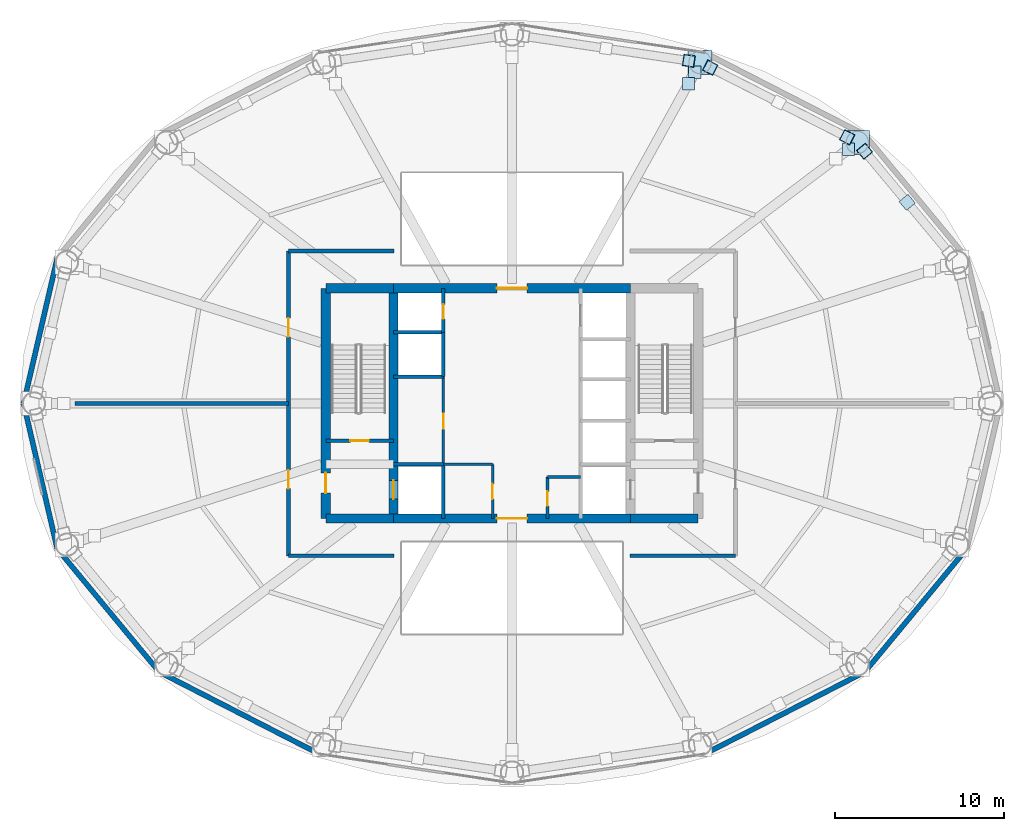
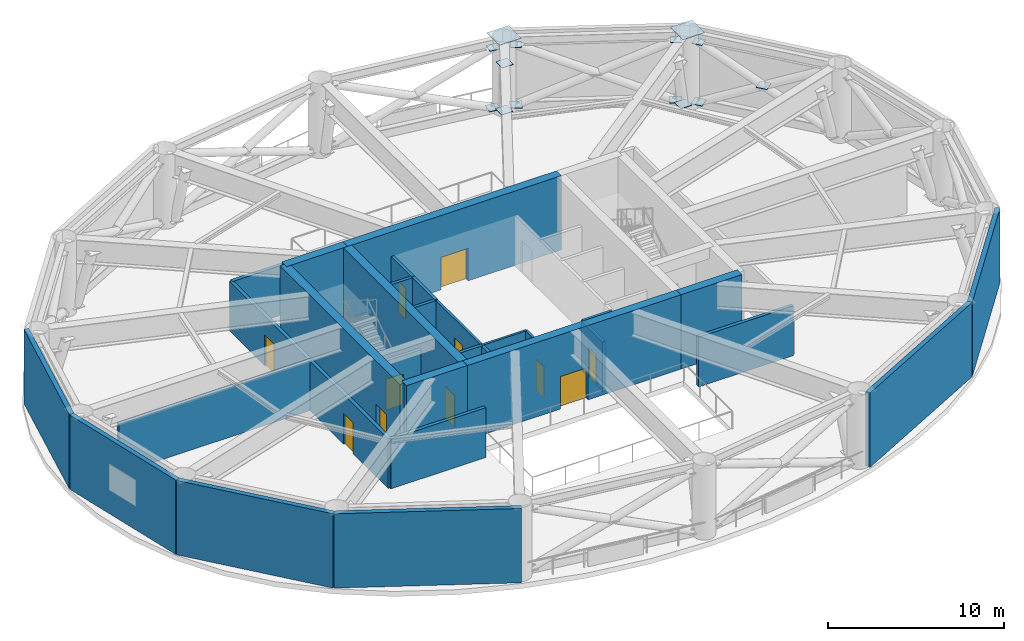
# One storey, part 5 of 8: 30 walls, 14 plates, 11 doors, 11 openings.
"""IFC4 building model written with IfcOpenShell, lengths in metres."""

from ifc_helpers import new_model, si_unit, direction, frame, frame_2d, origin, origin_2d, place, context, subcontext, project, spatial, rectangle, extrude, material, layer, layer_set, type_object, element, fill, save


model = new_model("IFC4")

# Units and contexts
model_context = context("Model", 3, precision=1e-05, world=origin(), true_north=direction((0.0, 1.0)))
body_context = subcontext(model_context, "Body", "Model", "MODEL_VIEW")
ifc_project = project(units=[si_unit("LENGTHUNIT", "METRE"), si_unit("AREAUNIT", "SQUARE_METRE"), si_unit("VOLUMEUNIT", "CUBIC_METRE"), si_unit("PLANEANGLEUNIT", "RADIAN"), si_unit("MASSUNIT", "GRAM", prefix="KILO")], contexts=[model_context])

# Site, building, storey
site_placement = place(None, origin())
site = spatial("IfcSite", under=ifc_project, at=site_placement, CompositionType="ELEMENT")
building_placement = place(site_placement, origin())
building = spatial("IfcBuilding", under=site, at=building_placement, Name="Sarneth Arch Tower", CompositionType="ELEMENT")
storey_placement = place(building_placement, frame((0.0, 0.0, 145.199951171875)))
storey = spatial("IfcBuildingStorey", under=building, at=storey_placement, Name="L36", CompositionType="ELEMENT", Elevation=145.199951171875)

# Plates
ifc_material_1 = material(Name="Steel S355", Category="steel")
ifc_layer_1 = layer(ifc_material_1, 0.035888671875)
ifc_layer_set_1 = layer_set([ifc_layer_1], Name="Steel S355")
plate_type_1 = type_object("IfcPlateType", Name="PLT-GUSSET-30", PredefinedType="SHEET", material=ifc_layer_set_1)
plate_1_placement = place(storey_placement, frame((71.344482421875, 53.878662109375, 2.41650390625), z_axis=(0.0, 0.0, 1.0), x_axis=(-0.640109699485, 0.768283523594, 0.0)))
element("IfcPlate", 1, at=plate_1_placement, inside=storey, type_object=plate_type_1, Name="Steel end cap plate GP-1", PredefinedType="SHEET", context=body_context, shape_type="SweptSolid", body=[
    extrude(rectangle(XDim=0.679931640625, YDim=0.679931640625, at=origin_2d()), origin(), (0.0, 0.0, 1.0), 0.035888671875),
])
plate_2_placement = place(storey_placement, frame((68.829833984375, 56.896484375, 0.33203125), z_axis=(0.0, 0.0, 1.0), x_axis=(-0.640109699485, 0.768283523594, 0.0)))
element("IfcPlate", 2, at=plate_2_placement, inside=storey, type_object=plate_type_1, Name="Steel end cap plate GP-1", PredefinedType="SHEET", context=body_context, shape_type="SweptSolid", body=[
    extrude(rectangle(XDim=0.699951171875, YDim=0.699951171875, at=origin_2d()), origin(), (0.0, 0.0, 1.0), 0.035888671875),
])
plate_3_placement = place(storey_placement, frame((68.829833984375, 56.896484375, 4.5009765625), z_axis=(0.0, 0.0, 1.0), x_axis=(-0.640109699485, 0.768283523594, 0.0)))
element("IfcPlate", 3, at=plate_3_placement, inside=storey, type_object=plate_type_1, Name="Steel end cap plate GP-1", PredefinedType="SHEET", context=body_context, shape_type="SweptSolid", body=[
    extrude(rectangle(XDim=0.6298828125, YDim=0.6298828125, at=origin_2d()), origin(), (0.0, 0.0, 1.0), 0.035888671875),
])
for number, where, z_axis, x_axis, name in (
    (4, (67.796142578125, 57.720947265625, 0.33203125), (0.0, 0.0, 1.0), (0.89124411091, -0.453523907604, 0.0), "Steel end cap plate GP-1"),
    (5, (59.7119140625, 61.83447265625, 0.33203125), (0.0, 0.0, 1.0), (-0.89124411091, 0.453523907604, 0.0), "Steel end cap plate GP-1"),
):
    element("IfcPlate", number, at=place(storey_placement, frame(where, z_axis=z_axis, x_axis=x_axis)), inside=storey, type_object=plate_type_1, Name=name, PredefinedType="SHEET", context=body_context, shape_type="SweptSolid", body=[
        extrude(rectangle(XDim=0.699951171875, YDim=0.699951171875, at=origin_2d()), origin(), (0.0, 0.0, 1.0), 0.035888671875),
    ])
for number, where, z_axis, x_axis, name in (
    (6, (67.796142578125, 57.720947265625, 4.5009765625), (0.0, 0.0, 1.0), (0.89124411091, -0.453523907604, 0.0), "Steel end cap plate GP-1"),
    (7, (59.7119140625, 61.83447265625, 4.5009765625), (0.0, 0.0, 1.0), (-0.89124411091, 0.453523907604, 0.0), "Steel end cap plate GP-1"),
):
    element("IfcPlate", number, at=place(storey_placement, frame(where, z_axis=z_axis, x_axis=x_axis)), inside=storey, type_object=plate_type_1, Name=name, PredefinedType="SHEET", context=body_context, shape_type="SweptSolid", body=[
        extrude(rectangle(XDim=0.6298828125, YDim=0.6298828125, at=origin_2d()), origin(), (0.0, 0.0, 1.0), 0.035888671875),
    ])
plate_4_placement = place(storey_placement, frame((67.875, 57.020263671875, 0.43212890625), z_axis=(0.0, 0.0, 1.0), x_axis=(1.0, 0.0, 0.0)))
element("IfcPlate", 8, at=plate_4_placement, inside=storey, type_object=plate_type_1, Name="Steel end cap plate GP-1", PredefinedType="SHEET", context=body_context, shape_type="SweptSolid", body=[
    extrude(rectangle(XDim=0.72998046875, YDim=0.72998046875, at=origin_2d()), origin(), (0.0, 0.0, 1.0), 0.035888671875),
])
plate_5_placement = place(storey_placement, frame((58.442626953125, 62.240234375, 0.33203125), z_axis=(0.0, 0.0, 1.0), x_axis=(0.989041645907, -0.147636793048, 0.0)))
element("IfcPlate", 9, at=plate_5_placement, inside=storey, type_object=plate_type_1, Name="Steel end cap plate GP-1", PredefinedType="SHEET", context=body_context, shape_type="SweptSolid", body=[
    extrude(rectangle(XDim=0.699951171875, YDim=0.699951171875, at=origin_2d()), origin(), (0.0, 0.0, 1.0), 0.035888671875),
])
plate_6_placement = place(storey_placement, frame((58.442626953125, 62.240234375, 4.5009765625), z_axis=(0.0, 0.0, 1.0), x_axis=(0.989041645907, -0.147636793048, 0.0)))
element("IfcPlate", 10, at=plate_6_placement, inside=storey, type_object=plate_type_1, Name="Steel end cap plate GP-1", PredefinedType="SHEET", context=body_context, shape_type="SweptSolid", body=[
    extrude(rectangle(XDim=0.6298828125, YDim=0.6298828125, at=origin_2d()), origin(), (0.0, 0.0, 1.0), 0.035888671875),
])
for number, where, z_axis, x_axis, name in (
    (11, (58.793701171875, 61.567138671875, 0.43212890625), (0.0, 0.0, 1.0), (1.0, 0.0, 0.0), "Steel end cap plate GP-1"),
    (12, (58.421875, 60.893310546875, 4.224609375), (0.0, 0.0, 1.0), (1.0, 0.0, 0.0), "Steel end cap plate GP-1"),
):
    element("IfcPlate", number, at=place(storey_placement, frame(where, z_axis=z_axis, x_axis=x_axis)), inside=storey, type_object=plate_type_1, Name=name, PredefinedType="SHEET", context=body_context, shape_type="SweptSolid", body=[
        extrude(rectangle(XDim=0.72998046875, YDim=0.72998046875, at=origin_2d()), origin(), (0.0, 0.0, 1.0), 0.035888671875),
    ])
ifc_material_2 = material(Name="Steel S355", Category="steel")
ifc_layer_2 = layer(ifc_material_2, 0.0400390625)
ifc_layer_set_2 = layer_set([ifc_layer_2], Name="Steel S355")
plate_type_2 = type_object("IfcPlateType", Name="PLT-SPLICE-40", PredefinedType="SHEET", material=ifc_layer_set_2)
for number, where, z_axis, x_axis, name in (
    (13, (68.397705078125, 57.4150390625, 5.13232421875), (0.0, 0.0, 1.0), (1.0, 0.0, 0.0), "Steel end cap plate GP-2"),
    (14, (59.1103515625, 62.140625, 5.13232421875), (0.0, 0.0, 1.0), (1.0, 0.0, 0.0), "Steel end cap plate GP-2"),
):
    element("IfcPlate", number, at=place(storey_placement, frame(where, z_axis=z_axis, x_axis=x_axis)), inside=storey, type_object=plate_type_2, Name=name, PredefinedType="SHEET", context=body_context, shape_type="SweptSolid", body=[
        extrude(rectangle(XDim=1.429931640625, YDim=1.429931640625, at=origin_2d()), origin(), (0.0, 0.0, 1.0), 0.035888671875),
    ])

# Wall
ifc_material_3 = material(Name="Concrete C60/75", Category="concrete")
ifc_layer_3 = layer(ifc_material_3, 0.550048828125)
ifc_layer_set_3 = layer_set([ifc_layer_3], Name="Concrete C60/75")
wall_type_1 = type_object("IfcWallType", Name="WALL-CORE-550", PredefinedType="SHEAR", material=ifc_layer_set_3)
wall_1_placement = place(storey_placement, frame((37.0, 35.199951171875, 0.0), z_axis=(0.0, 0.0, 1.0), x_axis=(1.0, 0.0, 0.0)))
element("IfcWall", 15, at=wall_1_placement, inside=storey, type_object=wall_type_1, Name="L36 Core shear wall S-W", PredefinedType="SHEAR", context=body_context, shape_type="SweptSolid", body=[
    extrude(rectangle(XDim=4.0, YDim=0.550048828125, at=frame_2d((2.0, 0.0))), origin(), (0.0, 0.0, 1.0), 5.150146484375),
])

# Wall, opening, door
wall_2_placement = place(storey_placement, frame((41.0, 35.199951171875, 0.0), z_axis=(0.0, 0.0, 1.0), x_axis=(1.0, 0.0, 0.0)))
wall_2 = element("IfcWall", 16, at=wall_2_placement, inside=storey, type_object=wall_type_1, Name="L36 Core shear wall S-M", PredefinedType="SHEAR", context=body_context, shape_type="SweptSolid", body=[
    extrude(rectangle(XDim=14.0, YDim=0.550048828125, at=frame_2d((7.0, 0.0))), origin(), (0.0, 0.0, 1.0), 5.150146484375),
])
opening_1_placement = place(wall_2_placement, frame((6.10009765625, 0.0, 0.0)))
opening_1 = element("IfcOpeningElement", 17, at=opening_1_placement, cuts=wall_2, Name="Opening FD-01", PredefinedType="OPENING", context=body_context, shape_type="SweptSolid", body=[
    extrude(rectangle(XDim=1.800048828125, YDim=2.25, at=frame_2d((0.89990234375, 1.125))), frame((0.0, 0.284912109375, 0.0), z_axis=(0.0, -1.0, 0.0), x_axis=(1.0, 0.0, 0.0)), (0.0, 0.0, 1.0), 0.570068359375),
])
ifc_material_4 = material(Name="Galvanised Steel S275 fire door set", Category="steel")
door_type_1 = type_object("IfcDoorType", Name="DR-FD90-1800", OperationType="DOUBLE_DOOR_SINGLE_SWING", PredefinedType="DOOR", material=ifc_material_4)
door_1_placement = place(opening_1_placement, origin())
door_1 = element("IfcDoor", 18, at=door_1_placement, inside=storey, type_object=door_type_1, Name="L36 Central lift lobby south door", OperationType="DOUBLE_DOOR_SINGLE_SWING", OverallHeight=2.25, OverallWidth=1.800048828125, PredefinedType="DOOR", context=body_context, shape_type="SweptSolid", body=[
    extrude(rectangle(XDim=1.800048828125, YDim=2.25, at=frame_2d((0.89990234375, 1.125))), frame((0.0, 0.02490234375, 0.0), z_axis=(0.0, -1.0, 0.0), x_axis=(1.0, 0.0, 0.0)), (0.0, 0.0, 1.0), 0.050048828125),
])
fill(opening_1, door_1)

# Walls
for number, where, z_axis, x_axis, name in (
    (19, (55.0, 35.199951171875, 0.0), (0.0, 0.0, 1.0), (1.0, 0.0, 0.0), "L36 Core shear wall S-E"),
    (20, (37.0, 48.800048828125, 0.0), (0.0, 0.0, 1.0), (1.0, 0.0, 0.0), "L36 Core shear wall N-W"),
):
    element("IfcWall", number, at=place(storey_placement, frame(where, z_axis=z_axis, x_axis=x_axis)), inside=storey, type_object=wall_type_1, Name=name, PredefinedType="SHEAR", context=body_context, shape_type="SweptSolid", body=[
        extrude(rectangle(XDim=4.0, YDim=0.550048828125, at=frame_2d((2.0, 0.0))), origin(), (0.0, 0.0, 1.0), 5.150146484375),
    ])

# Wall, opening, door
wall_3_placement = place(storey_placement, frame((41.0, 48.800048828125, 0.0), z_axis=(0.0, 0.0, 1.0), x_axis=(1.0, 0.0, 0.0)))
wall_3 = element("IfcWall", 21, at=wall_3_placement, inside=storey, type_object=wall_type_1, Name="L36 Core shear wall N-M", PredefinedType="SHEAR", context=body_context, shape_type="SweptSolid", body=[
    extrude(rectangle(XDim=14.0, YDim=0.550048828125, at=frame_2d((7.0, 0.0))), origin(), (0.0, 0.0, 1.0), 5.150146484375),
])
opening_2_placement = place(wall_3_placement, frame((6.10009765625, 0.0, 0.0)))
opening_2 = element("IfcOpeningElement", 22, at=opening_2_placement, cuts=wall_3, Name="Opening FD-01", PredefinedType="OPENING", context=body_context, shape_type="SweptSolid", body=[
    extrude(rectangle(XDim=1.800048828125, YDim=2.25, at=frame_2d((0.89990234375, 1.125))), frame((0.0, 0.284912109375, 0.0), z_axis=(0.0, -1.0, 0.0), x_axis=(1.0, 0.0, 0.0)), (0.0, 0.0, 1.0), 0.570068359375),
])
door_2_placement = place(opening_2_placement, origin())
door_2 = element("IfcDoor", 23, at=door_2_placement, inside=storey, type_object=door_type_1, Name="L36 Central lift lobby north door", OperationType="DOUBLE_DOOR_SINGLE_SWING", OverallHeight=2.25, OverallWidth=1.800048828125, PredefinedType="DOOR", context=body_context, shape_type="SweptSolid", body=[
    extrude(rectangle(XDim=1.800048828125, YDim=2.25, at=frame_2d((0.89990234375, 1.125))), frame((0.0, 0.02490234375, 0.0), z_axis=(0.0, -1.0, 0.0), x_axis=(1.0, 0.0, 0.0)), (0.0, 0.0, 1.0), 0.050048828125),
])
fill(opening_2, door_2)

wall_4_placement = place(storey_placement, frame((37.0, 35.199951171875, 0.0), z_axis=(0.0, 0.0, 1.0), x_axis=(0.0, 1.0, 0.0)))
wall_4 = element("IfcWall", 24, at=wall_4_placement, inside=storey, type_object=wall_type_1, Name="L36 Core shear wall W", PredefinedType="SHEAR", context=body_context, shape_type="SweptSolid", body=[
    extrude(rectangle(XDim=13.60009765625, YDim=0.550048828125, at=frame_2d((6.800048828125, 0.0))), origin(), (0.0, 0.0, 1.0), 5.150146484375),
])
opening_3_placement = place(wall_4_placement, frame((1.5, 0.0, 0.0)))
opening_3 = element("IfcOpeningElement", 25, at=opening_3_placement, cuts=wall_4, Name="Opening FD-02", PredefinedType="OPENING", context=body_context, shape_type="SweptSolid", body=[
    extrude(rectangle(XDim=1.199951171875, YDim=2.14990234375, at=frame_2d((0.60009765625, 1.074951171875))), frame((0.0, 0.284912109375, 0.0), z_axis=(0.0, -1.0, 0.0), x_axis=(1.0, 0.0, 0.0)), (0.0, 0.0, 1.0), 0.570068359375),
])
ifc_material_5 = material(Name="Galvanised Steel S275 fire door set", Category="steel")
door_type_2 = type_object("IfcDoorType", Name="DR-FD90-1200", OperationType="SINGLE_SWING_LEFT", PredefinedType="DOOR", material=ifc_material_5)
door_3_placement = place(opening_3_placement, origin())
door_3 = element("IfcDoor", 26, at=door_3_placement, inside=storey, type_object=door_type_2, Name="L36 Firefighting lobby 1 exit door", OperationType="SINGLE_SWING_LEFT", OverallHeight=2.14990234375, OverallWidth=1.199951171875, PredefinedType="DOOR", context=body_context, shape_type="SweptSolid", body=[
    extrude(rectangle(XDim=1.199951171875, YDim=2.14990234375, at=frame_2d((0.60009765625, 1.074951171875))), frame((0.0, 0.02490234375, 0.0), z_axis=(0.0, -1.0, 0.0), x_axis=(1.0, 0.0, 0.0)), (0.0, 0.0, 1.0), 0.050048828125),
])
fill(opening_3, door_3)

wall_5_placement = place(storey_placement, frame((41.0, 35.199951171875, 0.0), z_axis=(0.0, 0.0, 1.0), x_axis=(0.0, 1.0, 0.0)))
wall_5 = element("IfcWall", 27, at=wall_5_placement, inside=storey, type_object=wall_type_1, Name="L36 Core shear wall WEB-W", PredefinedType="SHEAR", context=body_context, shape_type="SweptSolid", body=[
    extrude(rectangle(XDim=13.60009765625, YDim=0.550048828125, at=frame_2d((6.800048828125, 0.0))), origin(), (0.0, 0.0, 1.0), 5.150146484375),
])
opening_4_placement = place(wall_5_placement, frame((1.14990234375, 0.0, 0.0)))
opening_4 = element("IfcOpeningElement", 28, at=opening_4_placement, cuts=wall_5, Name="Opening LD-1", PredefinedType="OPENING", context=body_context, shape_type="SweptSolid", body=[
    extrude(rectangle(XDim=1.10009765625, YDim=2.199951171875, at=frame_2d((0.550048828125, 1.10009765625))), frame((0.0, 0.284912109375, 0.0), z_axis=(0.0, -1.0, 0.0), x_axis=(1.0, 0.0, 0.0)), (0.0, 0.0, 1.0), 0.570068359375),
])
ifc_material_6 = material(Name="Brushed Stainless Steel 304 lift landing door", Category="steel")
door_type_3 = type_object("IfcDoorType", Name="DR-LIFT-SLIDE-1100", OperationType="SLIDING_TO_LEFT", PredefinedType="DOOR", material=ifc_material_6)
door_4_placement = place(opening_4_placement, origin())
door_4 = element("IfcDoor", 29, at=door_4_placement, inside=storey, type_object=door_type_3, Name="L36 Firefighting lift landing door FL-1", OperationType="SLIDING_TO_LEFT", OverallHeight=2.199951171875, OverallWidth=1.10009765625, PredefinedType="DOOR", context=body_context, shape_type="SweptSolid", body=[
    extrude(rectangle(XDim=1.10009765625, YDim=2.199951171875, at=frame_2d((0.550048828125, 1.10009765625))), frame((0.0, 0.02490234375, 0.0), z_axis=(0.0, -1.0, 0.0), x_axis=(1.0, 0.0, 0.0)), (0.0, 0.0, 1.0), 0.050048828125),
])
fill(opening_4, door_4)

# Walls
ifc_material_7 = material(Name="Extruded terracotta rainscreen on Concrete C40/50 backing", Category="masonry")
ifc_layer_4 = layer(ifc_material_7, 0.300048828125)
ifc_layer_set_4 = layer_set([ifc_layer_4], Name="Extruded terracotta rainscreen on Concrete C40/50 backing")
wall_type_2 = type_object("IfcWallType", Name="WALL-EXT-ACOUST-300", PredefinedType="SOLIDWALL", material=ifc_layer_set_4)
for number, where, z_axis, x_axis, name in (
    (30, (21.138671875, 50.58349609375, 0.0), (0.0, 0.0, 1.0), (-0.22558597182, -0.974223264616, 0.0), "L36 Terracotta perimeter wall 08"),
    (31, (19.151123046875, 42.0, 0.0), (0.0, 0.0, 1.0), (0.22558597182, -0.974223264616, 0.0), "L36 Terracotta perimeter wall 09"),
):
    element("IfcWall", number, at=place(storey_placement, frame(where, z_axis=z_axis, x_axis=x_axis)), inside=storey, type_object=wall_type_2, Name=name, PredefinedType="SOLIDWALL", context=body_context, shape_type="SweptSolid", body=[
        extrude(rectangle(XDim=8.810546875, YDim=0.300048828125, at=frame_2d((4.4052734375, 0.0))), origin(), (0.0, 0.0, 1.0), 5.150146484375),
    ])
wall_6_placement = place(storey_placement, frame((21.138671875, 33.41650390625, 0.0), z_axis=(0.0, 0.0, 1.0), x_axis=(0.637505817448, -0.770445541696, 0.0)))
element("IfcWall", 32, at=wall_6_placement, inside=storey, type_object=wall_type_2, Name="L36 Terracotta perimeter wall 10", PredefinedType="SOLIDWALL", context=body_context, shape_type="SweptSolid", body=[
    extrude(rectangle(XDim=9.445068359375, YDim=0.300048828125, at=frame_2d((4.72265625, 0.0))), origin(), (0.0, 0.0, 1.0), 5.150146484375),
])
for number, where, z_axis, x_axis, name in (
    (33, (27.159912109375, 26.1396484375, 0.0), (0.0, 0.0, 1.0), (0.889959505023, -0.45603955905, 0.0), "L36 Terracotta perimeter wall 11"),
    (34, (59.351318359375, 21.27734375, 0.0), (0.0, 0.0, 1.0), (0.889959505023, 0.45603955905, 0.0), "L36 Terracotta perimeter wall 14"),
):
    element("IfcWall", number, at=place(storey_placement, frame(where, z_axis=z_axis, x_axis=x_axis)), inside=storey, type_object=wall_type_2, Name=name, PredefinedType="SOLIDWALL", context=body_context, shape_type="SweptSolid", body=[
        extrude(rectangle(XDim=10.662109375, YDim=0.300048828125, at=frame_2d((5.3310546875, 0.0))), origin(), (0.0, 0.0, 1.0), 5.150146484375),
    ])
wall_7_placement = place(storey_placement, frame((68.840087890625, 26.1396484375, 0.0), z_axis=(0.0, 0.0, 1.0), x_axis=(0.637505817448, 0.770445541696, 0.0)))
element("IfcWall", 35, at=wall_7_placement, inside=storey, type_object=wall_type_2, Name="L36 Terracotta perimeter wall 15", PredefinedType="SOLIDWALL", context=body_context, shape_type="SweptSolid", body=[
    extrude(rectangle(XDim=9.445068359375, YDim=0.300048828125, at=frame_2d((4.72265625, 0.0))), origin(), (0.0, 0.0, 1.0), 5.150146484375),
])
ifc_material_8 = material(Name="Aerated concrete blockwork C25/30", Category="masonry")
ifc_layer_5 = layer(ifc_material_8, 0.219970703125)
ifc_layer_set_5 = layer_set([ifc_layer_5], Name="Aerated concrete blockwork C25/30")
wall_type_3 = type_object("IfcWallType", Name="WALL-FIRE-220", PredefinedType="SOLIDWALL", material=ifc_layer_set_5)
wall_8_placement = place(storey_placement, frame((22.193359375, 42.0, 0.0), z_axis=(0.0, 0.0, 1.0), x_axis=(1.0, 0.0, 0.0)))
element("IfcWall", 36, at=wall_8_placement, inside=storey, type_object=wall_type_3, Name="L36 Interior partition W-L36-TP-009", PredefinedType="SOLIDWALL", context=body_context, shape_type="SweptSolid", body=[
    extrude(rectangle(XDim=12.606689453125, YDim=0.219970703125, at=frame_2d((6.30322265625, 0.0))), origin(), (0.0, 0.0, 1.0), 3.449951171875),
])

# Wall, openings, doors
wall_9_placement = place(storey_placement, frame((34.800048828125, 33.0, 0.0), z_axis=(0.0, 0.0, 1.0), x_axis=(0.0, 1.0, 0.0)))
wall_9 = element("IfcWall", 37, at=wall_9_placement, inside=storey, type_object=wall_type_3, Name="L36 Interior partition W-L36-TP-002", PredefinedType="SOLIDWALL", context=body_context, shape_type="SweptSolid", body=[
    extrude(rectangle(XDim=18.0, YDim=0.219970703125, at=frame_2d((9.0, 0.0))), origin(), (0.0, 0.0, 1.0), 3.449951171875),
])
opening_5_placement = place(wall_9_placement, frame((3.966064453125, 0.0, 0.0)))
opening_5 = element("IfcOpeningElement", 38, at=opening_5_placement, cuts=wall_9, Name="Opening FD-03", PredefinedType="OPENING", context=body_context, shape_type="SweptSolid", body=[
    extrude(rectangle(XDim=1.10009765625, YDim=2.14990234375, at=frame_2d((0.550048828125, 1.074951171875))), frame((0.0, 0.119873046875, 0.0), z_axis=(0.0, -1.0, 0.0), x_axis=(1.0, 0.0, 0.0)), (0.0, 0.0, 1.0), 0.239990234375),
])
opening_6_placement = place(wall_9_placement, frame((12.93408203125, 0.0, 0.0)))
opening_6 = element("IfcOpeningElement", 39, at=opening_6_placement, cuts=wall_9, Name="Opening FD-03", PredefinedType="OPENING", context=body_context, shape_type="SweptSolid", body=[
    extrude(rectangle(XDim=1.10009765625, YDim=2.14990234375, at=frame_2d((0.550048828125, 1.074951171875))), frame((0.0, 0.119873046875, 0.0), z_axis=(0.0, -1.0, 0.0), x_axis=(1.0, 0.0, 0.0)), (0.0, 0.0, 1.0), 0.239990234375),
])
ifc_material_9 = material(Name="Galvanised Steel S275 fire door set", Category="steel")
door_type_4 = type_object("IfcDoorType", Name="DR-FD90-1100", OperationType="SINGLE_SWING_LEFT", PredefinedType="DOOR", material=ifc_material_9)
door_5_placement = place(opening_5_placement, origin())
door_5 = element("IfcDoor", 40, at=door_5_placement, inside=storey, type_object=door_type_4, Name="L36 Interior door DR-L36-PSEC-1", OperationType="SINGLE_SWING_LEFT", OverallHeight=2.14990234375, OverallWidth=1.10009765625, PredefinedType="DOOR", context=body_context, shape_type="SweptSolid", body=[
    extrude(rectangle(XDim=1.10009765625, YDim=2.14990234375, at=frame_2d((0.550048828125, 1.074951171875))), frame((0.0, 0.02490234375, 0.0), z_axis=(0.0, -1.0, 0.0), x_axis=(1.0, 0.0, 0.0)), (0.0, 0.0, 1.0), 0.050048828125),
])
fill(opening_5, door_5)
door_6_placement = place(opening_6_placement, origin())
door_6 = element("IfcDoor", 41, at=door_6_placement, inside=storey, type_object=door_type_4, Name="L36 Interior door DR-L36-PSEC-2", OperationType="SINGLE_SWING_LEFT", OverallHeight=2.14990234375, OverallWidth=1.10009765625, PredefinedType="DOOR", context=body_context, shape_type="SweptSolid", body=[
    extrude(rectangle(XDim=1.10009765625, YDim=2.14990234375, at=frame_2d((0.550048828125, 1.074951171875))), frame((0.0, 0.02490234375, 0.0), z_axis=(0.0, -1.0, 0.0), x_axis=(1.0, 0.0, 0.0)), (0.0, 0.0, 1.0), 0.050048828125),
])
fill(opening_6, door_6)

# Walls
for number, where, z_axis, x_axis, name in (
    (42, (41.031982421875, 33.0, 0.0), (0.0, 0.0, 1.0), (-1.0, 0.0, 0.0), "L36 Interior partition W-L36-TP-001"),
    (43, (34.800048828125, 51.0, 0.0), (0.0, 0.0, 1.0), (1.0, 0.0, 0.0), "L36 Interior partition W-L36-TP-004"),
    (44, (61.199951171875, 33.0, 0.0), (0.0, 0.0, 1.0), (-1.0, 0.0, 0.0), "L36 Interior partition W-L36-TP-006"),
):
    element("IfcWall", number, at=place(storey_placement, frame(where, z_axis=z_axis, x_axis=x_axis)), inside=storey, type_object=wall_type_3, Name=name, PredefinedType="SOLIDWALL", context=body_context, shape_type="SweptSolid", body=[
        extrude(rectangle(XDim=6.23193359375, YDim=0.219970703125, at=frame_2d((3.115966796875, 0.0))), origin(), (0.0, 0.0, 1.0), 3.449951171875),
    ])

# Wall, opening, door
ifc_material_10 = material(Name="Acoustic gypsum stud partition", Category="gypsum")
ifc_layer_6 = layer(ifc_material_10, 0.14990234375)
ifc_layer_set_6 = layer_set([ifc_layer_6], Name="Acoustic gypsum stud partition")
wall_type_4 = type_object("IfcWallType", Name="WALL-PART-150", PredefinedType="PARTITIONING", material=ifc_layer_set_6)
wall_10_placement = place(storey_placement, frame((43.949951171875, 38.39990234375, 0.0), z_axis=(0.0, 0.0, 1.0), x_axis=(0.0, 1.0, 0.0)))
wall_10 = element("IfcWall", 45, at=wall_10_placement, inside=storey, type_object=wall_type_4, Name="L36 Interior partition W-L36-RECPL-E", PredefinedType="PARTITIONING", context=body_context, shape_type="SweptSolid", body=[
    extrude(rectangle(XDim=5.18017578125, YDim=0.14990234375, at=frame_2d((2.590087890625, 0.0))), origin(), (0.0, 0.0, 1.0), 3.449951171875),
])
opening_7_placement = place(wall_10_placement, frame((2.10009765625, 0.0, 0.0)))
opening_7 = element("IfcOpeningElement", 46, at=opening_7_placement, cuts=wall_10, Name="Opening FD-10", PredefinedType="OPENING", context=body_context, shape_type="SweptSolid", body=[
    extrude(rectangle(XDim=0.89990234375, YDim=2.14990234375, at=frame_2d((0.449951171875, 1.074951171875))), frame((0.0, 0.0849609375, 0.0), z_axis=(0.0, -1.0, 0.0), x_axis=(1.0, 0.0, 0.0)), (0.0, 0.0, 1.0), 0.169921875),
])
ifc_material_11 = material(Name="Galvanised Steel S275 riser/service fire door", Category="steel")
door_type_5 = type_object("IfcDoorType", Name="DR-FD60-900", OperationType="SINGLE_SWING_LEFT", PredefinedType="DOOR", material=ifc_material_11)
door_7_placement = place(opening_7_placement, origin())
door_7 = element("IfcDoor", 47, at=door_7_placement, inside=storey, type_object=door_type_5, Name="L36 Interior door DR-L36-RECPL1", OperationType="SINGLE_SWING_LEFT", OverallHeight=2.14990234375, OverallWidth=0.89990234375, PredefinedType="DOOR", context=body_context, shape_type="SweptSolid", body=[
    extrude(rectangle(XDim=0.89990234375, YDim=2.14990234375, at=frame_2d((0.449951171875, 1.074951171875))), frame((0.0, 0.02490234375, 0.0), z_axis=(0.0, -1.0, 0.0), x_axis=(1.0, 0.0, 0.0)), (0.0, 0.0, 1.0), 0.050048828125),
])
fill(opening_7, door_7)

# Wall
wall_11_placement = place(storey_placement, frame((43.949951171875, 38.39990234375, 0.0), z_axis=(0.0, 0.0, 1.0), x_axis=(1.0, 0.0, 0.0)))
element("IfcWall", 48, at=wall_11_placement, inside=storey, type_object=wall_type_4, Name="L36 Interior partition W-L36-CSUP1-N", PredefinedType="PARTITIONING", context=body_context, shape_type="SweptSolid", body=[
    extrude(rectangle(XDim=2.900146484375, YDim=0.14990234375, at=frame_2d((1.4501953125, 0.0))), origin(), (0.0, 0.0, 1.0), 3.449951171875),
])

# Wall, opening, door
wall_12_placement = place(storey_placement, frame((46.85009765625, 35.199951171875, 0.0), z_axis=(0.0, 0.0, 1.0), x_axis=(0.0, 1.0, 0.0)))
wall_12 = element("IfcWall", 49, at=wall_12_placement, inside=storey, type_object=wall_type_4, Name="L36 Interior partition W-L36-CSUP1-E", PredefinedType="PARTITIONING", context=body_context, shape_type="SweptSolid", body=[
    extrude(rectangle(XDim=3.199951171875, YDim=0.14990234375, at=frame_2d((1.60009765625, 0.0))), origin(), (0.0, 0.0, 1.0), 3.449951171875),
])
opening_8_placement = place(wall_12_placement, frame((1.14990234375, 0.0, 0.0)))
opening_8 = element("IfcOpeningElement", 50, at=opening_8_placement, cuts=wall_12, Name="Opening FD-10", PredefinedType="OPENING", context=body_context, shape_type="SweptSolid", body=[
    extrude(rectangle(XDim=0.89990234375, YDim=2.14990234375, at=frame_2d((0.449951171875, 1.074951171875))), frame((0.0, 0.0849609375, 0.0), z_axis=(0.0, -1.0, 0.0), x_axis=(1.0, 0.0, 0.0)), (0.0, 0.0, 1.0), 0.169921875),
])
door_8_placement = place(opening_8_placement, origin())
door_8 = element("IfcDoor", 51, at=door_8_placement, inside=storey, type_object=door_type_5, Name="L36 Interior door DR-L36-CSUP1", OperationType="SINGLE_SWING_LEFT", OverallHeight=2.14990234375, OverallWidth=0.89990234375, PredefinedType="DOOR", context=body_context, shape_type="SweptSolid", body=[
    extrude(rectangle(XDim=0.89990234375, YDim=2.14990234375, at=frame_2d((0.449951171875, 1.074951171875))), frame((0.0, 0.02490234375, 0.0), z_axis=(0.0, -1.0, 0.0), x_axis=(1.0, 0.0, 0.0)), (0.0, 0.0, 1.0), 0.050048828125),
])
fill(opening_8, door_8)

# Wall
ifc_material_12 = material(Name="Moisture-resistant plumbing chase wall", Category="gypsum")
ifc_layer_7 = layer(ifc_material_12, 0.179931640625)
ifc_layer_set_7 = layer_set([ifc_layer_7], Name="Moisture-resistant plumbing chase wall")
wall_type_5 = type_object("IfcWallType", Name="WALL-PLUMB-180", PredefinedType="PLUMBINGWALL", material=ifc_layer_set_7)
wall_13_placement = place(storey_placement, frame((50.10009765625, 37.64990234375, 0.0), z_axis=(0.0, 0.0, 1.0), x_axis=(1.0, 0.0, 0.0)))
element("IfcWall", 52, at=wall_13_placement, inside=storey, type_object=wall_type_5, Name="L36 Interior partition W-L36-AWC-N", PredefinedType="PLUMBINGWALL", context=body_context, shape_type="SweptSolid", body=[
    extrude(rectangle(XDim=1.949951171875, YDim=0.179931640625, at=frame_2d((0.97509765625, 0.0))), origin(), (0.0, 0.0, 1.0), 3.449951171875),
])

# Wall, opening, door
wall_14_placement = place(storey_placement, frame((50.10009765625, 35.199951171875, 0.0), z_axis=(0.0, 0.0, 1.0), x_axis=(0.0, 1.0, 0.0)))
wall_14 = element("IfcWall", 53, at=wall_14_placement, inside=storey, type_object=wall_type_5, Name="L36 Interior partition W-L36-AWC-W", PredefinedType="PLUMBINGWALL", context=body_context, shape_type="SweptSolid", body=[
    extrude(rectangle(XDim=2.449951171875, YDim=0.179931640625, at=frame_2d((1.22509765625, 0.0))), origin(), (0.0, 0.0, 1.0), 3.449951171875),
])
opening_9_placement = place(wall_14_placement, frame((0.75, 0.0, 0.0)))
opening_9 = element("IfcOpeningElement", 54, at=opening_9_placement, cuts=wall_14, Name="Opening ID-02", PredefinedType="OPENING", context=body_context, shape_type="SweptSolid", body=[
    extrude(rectangle(XDim=0.85009765625, YDim=2.10009765625, at=frame_2d((0.425048828125, 1.050048828125))), frame((0.0, 0.099853515625, 0.0), z_axis=(0.0, -1.0, 0.0), x_axis=(1.0, 0.0, 0.0)), (0.0, 0.0, 1.0), 0.199951171875),
])
ifc_material_13 = material(Name="Moisture-resistant bathroom timber door", Category="wood")
door_type_6 = type_object("IfcDoorType", Name="DR-INT-850", OperationType="SINGLE_SWING_RIGHT", PredefinedType="DOOR", material=ifc_material_13)
door_9_placement = place(opening_9_placement, origin())
door_9 = element("IfcDoor", 55, at=door_9_placement, inside=storey, type_object=door_type_6, Name="L36 Interior door DR-L36-AWC", OperationType="SINGLE_SWING_RIGHT", OverallHeight=2.10009765625, OverallWidth=0.85009765625, PredefinedType="DOOR", context=body_context, shape_type="SweptSolid", body=[
    extrude(rectangle(XDim=0.85009765625, YDim=2.10009765625, at=frame_2d((0.425048828125, 1.050048828125))), frame((0.0, 0.02490234375, 0.0), z_axis=(0.0, -1.0, 0.0), x_axis=(1.0, 0.0, 0.0)), (0.0, 0.0, 1.0), 0.050048828125),
])
fill(opening_9, door_9)

ifc_material_14 = material(Name="Aerated concrete blockwork C25/30", Category="masonry")
ifc_layer_8 = layer(ifc_material_14, 0.199951171875)
ifc_layer_set_8 = layer_set([ifc_layer_8], Name="Aerated concrete blockwork C25/30")
wall_type_6 = type_object("IfcWallType", Name="WALL-SHAFT-200", PredefinedType="SOLIDWALL", material=ifc_layer_set_8)
wall_15_placement = place(storey_placement, frame((37.0, 39.800048828125, 0.0), z_axis=(0.0, 0.0, 1.0), x_axis=(1.0, 0.0, 0.0)))
wall_15 = element("IfcWall", 56, at=wall_15_placement, inside=storey, type_object=wall_type_6, Name="L36 Interior partition W-L36-ST1-S", PredefinedType="SOLIDWALL", context=body_context, shape_type="SweptSolid", body=[
    extrude(rectangle(XDim=4.0, YDim=0.199951171875, at=frame_2d((2.0, 0.0))), origin(), (0.0, 0.0, 1.0), 3.449951171875),
])
opening_10_placement = place(wall_15_placement, frame((1.449951171875, 0.0, 0.0)))
opening_10 = element("IfcOpeningElement", 57, at=opening_10_placement, cuts=wall_15, Name="Opening FD-03", PredefinedType="OPENING", context=body_context, shape_type="SweptSolid", body=[
    extrude(rectangle(XDim=1.10009765625, YDim=2.14990234375, at=frame_2d((0.550048828125, 1.074951171875))), frame((0.0, 0.10986328125, 0.0), z_axis=(0.0, -1.0, 0.0), x_axis=(1.0, 0.0, 0.0)), (0.0, 0.0, 1.0), 0.219970703125),
])
door_10_placement = place(opening_10_placement, origin())
door_10 = element("IfcDoor", 58, at=door_10_placement, inside=storey, type_object=door_type_4, Name="L36 Interior door DR-L36-ST1", OperationType="SINGLE_SWING_LEFT", OverallHeight=2.14990234375, OverallWidth=1.10009765625, PredefinedType="DOOR", context=body_context, shape_type="SweptSolid", body=[
    extrude(rectangle(XDim=1.10009765625, YDim=2.14990234375, at=frame_2d((0.550048828125, 1.074951171875))), frame((0.0, 0.02490234375, 0.0), z_axis=(0.0, -1.0, 0.0), x_axis=(1.0, 0.0, 0.0)), (0.0, 0.0, 1.0), 0.050048828125),
])
fill(opening_10, door_10)

# Walls
wall_16_placement = place(storey_placement, frame((43.949951171875, 35.199951171875, 0.0), z_axis=(0.0, 0.0, 1.0), x_axis=(0.0, 1.0, 0.0)))
element("IfcWall", 59, at=wall_16_placement, inside=storey, type_object=wall_type_6, Name="L36 Interior partition W-L36-FL1-E", PredefinedType="SOLIDWALL", context=body_context, shape_type="SweptSolid", body=[
    extrude(rectangle(XDim=3.199951171875, YDim=0.199951171875, at=frame_2d((1.60009765625, 0.0))), origin(), (0.0, 0.0, 1.0), 3.449951171875),
])
for number, where, z_axis, x_axis, name in (
    (60, (41.0, 38.39990234375, 0.0), (0.0, 0.0, 1.0), (1.0, 0.0, 0.0), "L36 Interior partition W-L36-FL1-N"),
    (61, (41.0, 46.199951171875, 0.0), (0.0, 0.0, 1.0), (1.0, 0.0, 0.0), "L36 Interior partition W-L36-RISER-S"),
):
    element("IfcWall", number, at=place(storey_placement, frame(where, z_axis=z_axis, x_axis=x_axis)), inside=storey, type_object=wall_type_6, Name=name, PredefinedType="SOLIDWALL", context=body_context, shape_type="SweptSolid", body=[
        extrude(rectangle(XDim=2.949951171875, YDim=0.199951171875, at=frame_2d((1.47509765625, 0.0))), origin(), (0.0, 0.0, 1.0), 3.449951171875),
    ])

# Wall, opening, door
wall_17_placement = place(storey_placement, frame((43.949951171875, 46.199951171875, 0.0), z_axis=(0.0, 0.0, 1.0), x_axis=(0.0, 1.0, 0.0)))
wall_17 = element("IfcWall", 62, at=wall_17_placement, inside=storey, type_object=wall_type_6, Name="L36 Interior partition W-L36-RISER-E", PredefinedType="SOLIDWALL", context=body_context, shape_type="SweptSolid", body=[
    extrude(rectangle(XDim=2.60009765625, YDim=0.199951171875, at=frame_2d((1.300048828125, 0.0))), origin(), (0.0, 0.0, 1.0), 3.449951171875),
])
opening_11_placement = place(wall_17_placement, frame((0.800048828125, 0.0, 0.0)))
opening_11 = element("IfcOpeningElement", 63, at=opening_11_placement, cuts=wall_17, Name="Opening FD-11", PredefinedType="OPENING", context=body_context, shape_type="SweptSolid", body=[
    extrude(rectangle(XDim=0.85009765625, YDim=2.14990234375, at=frame_2d((0.425048828125, 1.074951171875))), frame((0.0, 0.10986328125, 0.0), z_axis=(0.0, -1.0, 0.0), x_axis=(1.0, 0.0, 0.0)), (0.0, 0.0, 1.0), 0.219970703125),
])
ifc_material_15 = material(Name="Galvanised Steel S275 closet fire door", Category="steel")
door_type_7 = type_object("IfcDoorType", Name="DR-FD60-850", OperationType="SINGLE_SWING_LEFT", PredefinedType="DOOR", material=ifc_material_15)
door_11_placement = place(opening_11_placement, origin())
door_11 = element("IfcDoor", 64, at=door_11_placement, inside=storey, type_object=door_type_7, Name="L36 Lift landing door DR-L36-RISER", OperationType="SINGLE_SWING_LEFT", OverallHeight=2.14990234375, OverallWidth=0.85009765625, PredefinedType="DOOR", context=body_context, shape_type="SweptSolid", body=[
    extrude(rectangle(XDim=0.85009765625, YDim=2.14990234375, at=frame_2d((0.425048828125, 1.074951171875))), frame((0.0, 0.02490234375, 0.0), z_axis=(0.0, -1.0, 0.0), x_axis=(1.0, 0.0, 0.0)), (0.0, 0.0, 1.0), 0.050048828125),
])
fill(opening_11, door_11)

# Walls
wall_18_placement = place(storey_placement, frame((41.0, 43.580078125, 0.0), z_axis=(0.0, 0.0, 1.0), x_axis=(1.0, 0.0, 0.0)))
element("IfcWall", 65, at=wall_18_placement, inside=storey, type_object=wall_type_6, Name="L36 Interior partition W-L36-PM1-S", PredefinedType="SOLIDWALL", context=body_context, shape_type="SweptSolid", body=[
    extrude(rectangle(XDim=2.949951171875, YDim=0.199951171875, at=frame_2d((1.47509765625, 0.0))), origin(), (0.0, 0.0, 1.0), 3.449951171875),
])
wall_19_placement = place(storey_placement, frame((43.949951171875, 43.580078125, 0.0), z_axis=(0.0, 0.0, 1.0), x_axis=(0.0, 1.0, 0.0)))
element("IfcWall", 66, at=wall_19_placement, inside=storey, type_object=wall_type_6, Name="L36 Interior partition W-L36-PM1-FRONT", PredefinedType="SOLIDWALL", context=body_context, shape_type="SweptSolid", body=[
    extrude(rectangle(XDim=2.619873046875, YDim=0.199951171875, at=frame_2d((1.31005859375, 0.0))), origin(), (0.0, 0.0, 1.0), 3.449951171875),
])

save(model, "model.ifc")
